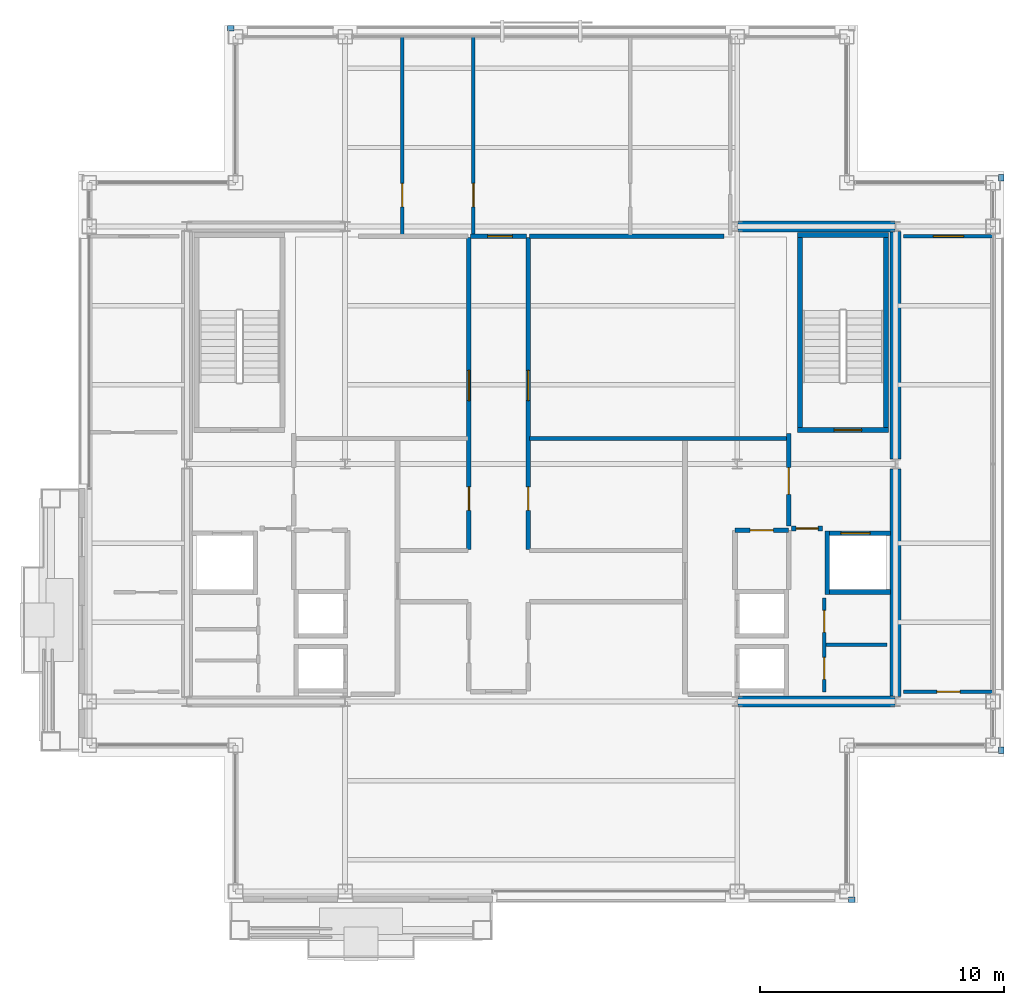
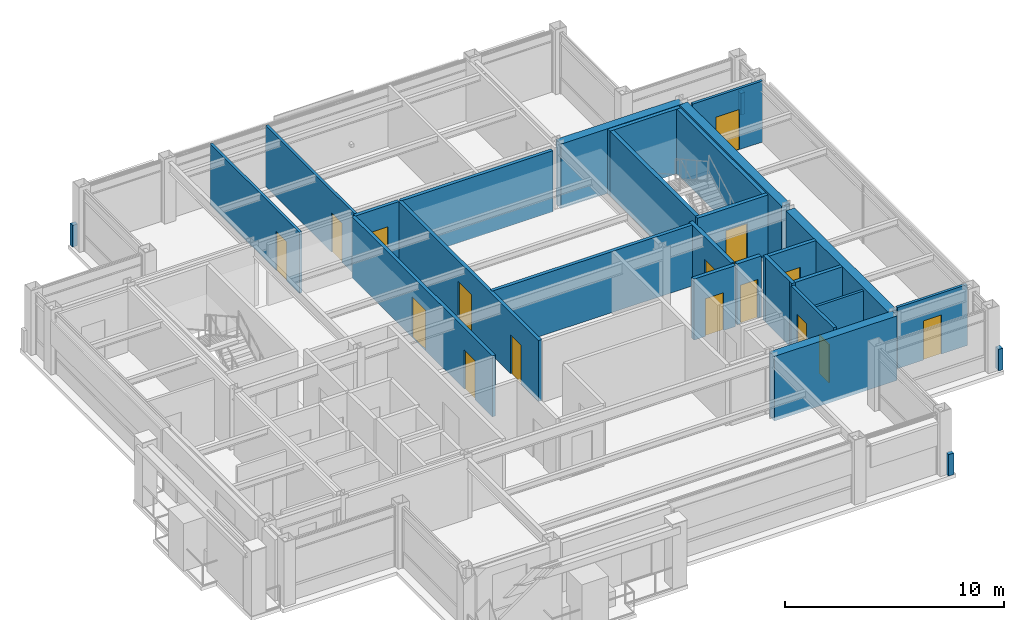
# One storey, part 25 of 28: 29 walls, 16 doors, 16 openings.
"""IFC4 building model written with IfcOpenShell, lengths in metres."""

from ifc_helpers import new_model, si_unit, direction, frame, frame_2d, origin, place, context, subcontext, project, spatial, rectangle, extrude, material, layer, layer_set, type_object, element, fill, save


model = new_model("IFC4")

# Units and contexts
model_context = context("Model", 3, precision=1e-05, world=origin(), true_north=direction((0.0, 1.0)))
body_context = subcontext(model_context, "Body", "Model", "MODEL_VIEW")
ifc_project = project(units=[si_unit("LENGTHUNIT", "METRE"), si_unit("AREAUNIT", "SQUARE_METRE"), si_unit("VOLUMEUNIT", "CUBIC_METRE"), si_unit("PLANEANGLEUNIT", "RADIAN"), si_unit("MASSUNIT", "GRAM", prefix="KILO")], contexts=[model_context])

# Site, building, storey
site_placement = place(None, origin())
site = spatial("IfcSite", under=ifc_project, at=site_placement, CompositionType="ELEMENT")
building_placement = place(site_placement, origin())
building = spatial("IfcBuilding", under=site, at=building_placement, Name="Brelmoor Portico Tower", CompositionType="ELEMENT")
storey_placement = place(building_placement, frame((0.0, 0.0, 265.199951171875)))
storey = spatial("IfcBuildingStorey", under=building, at=storey_placement, Name="L70", CompositionType="ELEMENT", Elevation=265.199951171875)

# Walls
ifc_material_1 = material(Name="Concrete C50", Category="concrete")
ifc_layer_1 = layer(ifc_material_1, 0.449951171875)
ifc_layer_set_1 = layer_set([ifc_layer_1], Name="Concrete C50")
wall_type_1 = type_object("IfcWallType", Name="WL-CORE-450", PredefinedType="SHEAR", material=ifc_layer_set_1)
for number, where, z_axis, x_axis, name in (
    (1, (8.070068359375, -9.75, -0.199951171875), (0.0, 0.0, 1.0), (1.0, 0.0, 0.0), "L70 EC South Shear Wall"),
    (2, (8.070068359375, 9.75, -0.199951171875), (0.0, 0.0, 1.0), (1.0, 0.0, 0.0), "L70 EC North Shear Wall"),
):
    element("IfcWall", number, at=place(storey_placement, frame(where, z_axis=z_axis, x_axis=x_axis)), inside=storey, type_object=wall_type_1, Name=name, PredefinedType="SHEAR", context=body_context, shape_type="SweptSolid", body=[
        extrude(rectangle(XDim=6.4599609375, YDim=0.449951171875, at=frame_2d((3.22998046875, 0.0))), origin(), (0.0, 0.0, 1.0), 3.60009765625),
    ])
for number, where, z_axis, x_axis, name in (
    (3, (14.550048828125, -9.550048828125, -0.199951171875), (0.0, 0.0, 1.0), (0.0, 1.0, 0.0), "L70 EC Outer South Shear Wall"),
    (4, (14.550048828125, 0.199951171875, -0.199951171875), (0.0, 0.0, 1.0), (0.0, 1.0, 0.0), "L70 EC Outer North Shear Wall"),
):
    element("IfcWall", number, at=place(storey_placement, frame(where, z_axis=z_axis, x_axis=x_axis)), inside=storey, type_object=wall_type_1, Name=name, PredefinedType="SHEAR", context=body_context, shape_type="SweptSolid", body=[
        extrude(rectangle(XDim=9.35009765625, YDim=0.449951171875, at=frame_2d((4.675048828125, 0.0))), origin(), (0.0, 0.0, 1.0), 3.60009765625),
    ])
ifc_material_2 = material(Name="Concrete C40 Parapet Upstand", Category="concrete")
ifc_layer_2 = layer(ifc_material_2, 0.219970703125)
ifc_layer_set_2 = layer_set([ifc_layer_2], Name="Concrete C40 Parapet Upstand")
wall_type_2 = type_object("IfcWallType", Name="WL-PARAPET-220", PredefinedType="PARAPET", material=ifc_layer_set_2)
for number, where, z_axis, x_axis, name in (
    (5, (12.6201171875, -17.889892578125, 0.0), (0.0, 0.0, 1.0), (1.0, 0.0, 0.0), "L70 Chamfer Vertex Parapet Pier SE1"),
    (6, (18.889892578125, -11.889892578125, 0.0), (0.0, 0.0, 1.0), (0.0, 1.0, 0.0), "L70 Chamfer Vertex Parapet Pier SE2"),
    (7, (-12.889892578125, 17.889892578125, 0.0), (0.0, 0.0, 1.0), (1.0, 0.0, 0.0), "L70 Chamfer Vertex Parapet Pier NW1"),
    (8, (18.889892578125, 11.6201171875, 0.0), (0.0, 0.0, 1.0), (0.0, 1.0, 0.0), "L70 Chamfer Vertex Parapet Pier NE2"),
):
    element("IfcWall", number, at=place(storey_placement, frame(where, z_axis=z_axis, x_axis=x_axis)), inside=storey, type_object=wall_type_2, Name=name, PredefinedType="PARAPET", context=body_context, shape_type="SweptSolid", body=[
        extrude(rectangle(XDim=0.269775390625, YDim=0.219970703125, at=frame_2d((0.134765625, 0.0))), origin(), (0.0, 0.0, 1.0), 1.199951171875),
    ])
ifc_material_3 = material(Name="Insulated Stud Suite Partition", Category="gypsum")
ifc_layer_3 = layer(ifc_material_3, 0.139892578125)
ifc_layer_set_3 = layer_set([ifc_layer_3], Name="Insulated Stud Suite Partition")
wall_type_3 = type_object("IfcWallType", Name="WL-PART-140", PredefinedType="PARTITIONING", material=ifc_layer_set_3)
wall_1_placement = place(storey_placement, frame((11.699951171875, -7.425048828125, 0.0), z_axis=(0.0, 0.0, 1.0), x_axis=(1.0, 0.0, 0.0)))
element("IfcWall", 9, at=wall_1_placement, inside=storey, type_object=wall_type_3, Name="L70 E Core WC Divider 1", PredefinedType="PARTITIONING", context=body_context, shape_type="SweptSolid", body=[
    extrude(rectangle(XDim=2.5, YDim=0.139892578125, at=frame_2d((1.25, 0.0))), origin(), (0.0, 0.0, 1.0), 3.400146484375),
])

# Wall, opening, door
wall_2_placement = place(storey_placement, frame((-5.705078125, 9.409912109375, 0.0), z_axis=(0.0, 0.0, 1.0), x_axis=(0.0, 1.0, 0.0)))
wall_2 = element("IfcWall", 10, at=wall_2_placement, inside=storey, type_object=wall_type_3, Name="L70 North Suite Partition 1", PredefinedType="PARTITIONING", context=body_context, shape_type="SweptSolid", body=[
    extrude(rectangle(XDim=8.150146484375, YDim=0.139892578125, at=frame_2d((4.0751953125, 0.0))), origin(), (0.0, 0.0, 1.0), 3.400146484375),
])
opening_1_placement = place(wall_2_placement, frame((1.14990234375, 0.0, 0.0)))
opening_1 = element("IfcOpeningElement", 11, at=opening_1_placement, cuts=wall_2, Name="Opening D-IN2", PredefinedType="OPENING", context=body_context, shape_type="SweptSolid", body=[
    extrude(rectangle(XDim=0.9599609375, YDim=2.179931640625, at=frame_2d((0.47998046875, 1.08984375))), frame((0.0, 0.079833984375, 0.0), z_axis=(0.0, -1.0, 0.0), x_axis=(1.0, 0.0, 0.0)), (0.0, 0.0, 1.0), 0.159912109375),
])
ifc_material_4 = material(Name="Lacquered Timber Suite Door", Category="wood")
door_type_1 = type_object("IfcDoorType", Name="DR-INT-950", OperationType="NOTDEFINED", PredefinedType="DOOR", material=ifc_material_4)
door_1_placement = place(opening_1_placement, origin())
door_1 = element("IfcDoor", 12, at=door_1_placement, inside=storey, type_object=door_type_1, Name="D-2881 L70 North Suite Connecting Door 1", OperationType="SINGLE_SWING_LEFT", OverallHeight=2.179931640625, OverallWidth=0.9599609375, PredefinedType="DOOR", context=body_context, shape_type="SweptSolid", body=[
    extrude(rectangle(XDim=0.9599609375, YDim=2.179931640625, at=frame_2d((0.47998046875, 1.08984375))), frame((0.0, 0.02490234375, 0.0), z_axis=(0.0, -1.0, 0.0), x_axis=(1.0, 0.0, 0.0)), (0.0, 0.0, 1.0), 0.050048828125),
])
fill(opening_1, door_1)

wall_3_placement = place(storey_placement, frame((-2.78466796875, 9.409912109375, 0.0), z_axis=(0.0, 0.0, 1.0), x_axis=(0.0, 1.0, 0.0)))
wall_3 = element("IfcWall", 13, at=wall_3_placement, inside=storey, type_object=wall_type_3, Name="L70 North Suite Partition 2", PredefinedType="PARTITIONING", context=body_context, shape_type="SweptSolid", body=[
    extrude(rectangle(XDim=8.150146484375, YDim=0.139892578125, at=frame_2d((4.0751953125, 0.0))), origin(), (0.0, 0.0, 1.0), 3.400146484375),
])
opening_2_placement = place(wall_3_placement, frame((1.14990234375, 0.0, 0.0)))
opening_2 = element("IfcOpeningElement", 14, at=opening_2_placement, cuts=wall_3, Name="Opening D-IN2", PredefinedType="OPENING", context=body_context, shape_type="SweptSolid", body=[
    extrude(rectangle(XDim=0.9599609375, YDim=2.179931640625, at=frame_2d((0.47998046875, 1.08984375))), frame((0.0, 0.079833984375, 0.0), z_axis=(0.0, -1.0, 0.0), x_axis=(1.0, 0.0, 0.0)), (0.0, 0.0, 1.0), 0.159912109375),
])
door_2_placement = place(opening_2_placement, origin())
door_2 = element("IfcDoor", 15, at=door_2_placement, inside=storey, type_object=door_type_1, Name="D-2882 L70 North Suite Connecting Door 2", OperationType="SINGLE_SWING_RIGHT", OverallHeight=2.179931640625, OverallWidth=0.9599609375, PredefinedType="DOOR", context=body_context, shape_type="SweptSolid", body=[
    extrude(rectangle(XDim=0.9599609375, YDim=2.179931640625, at=frame_2d((0.47998046875, 1.08984375))), frame((0.0, 0.02490234375, 0.0), z_axis=(0.0, -1.0, 0.0), x_axis=(1.0, 0.0, 0.0)), (0.0, 0.0, 1.0), 0.050048828125),
])
fill(opening_2, door_2)

wall_4_placement = place(storey_placement, frame((14.8798828125, 9.35009765625, 0.0), z_axis=(0.0, 0.0, 1.0), x_axis=(1.0, 0.0, 0.0)))
wall_4 = element("IfcWall", 16, at=wall_4_placement, inside=storey, type_object=wall_type_3, Name="L70 North Wing Suite Wall ER", PredefinedType="PARTITIONING", context=body_context, shape_type="SweptSolid", body=[
    extrude(rectangle(XDim=3.68017578125, YDim=0.139892578125, at=frame_2d((1.840087890625, 0.0))), origin(), (0.0, 0.0, 1.0), 3.400146484375),
])
opening_3_placement = place(wall_4_placement, frame((1.219970703125, 0.0, 0.0)))
opening_3 = element("IfcOpeningElement", 17, at=opening_3_placement, cuts=wall_4, Name="Opening D-SU1", PredefinedType="OPENING", context=body_context, shape_type="SweptSolid", body=[
    extrude(rectangle(XDim=1.239990234375, YDim=2.239990234375, at=frame_2d((0.6201171875, 1.1201171875))), frame((0.0, 0.079833984375, 0.0), z_axis=(0.0, -1.0, 0.0), x_axis=(1.0, 0.0, 0.0)), (0.0, 0.0, 1.0), 0.159912109375),
])
ifc_material_5 = material(Name="Glazed Timber Executive Suite Door", Category="wood")
door_type_2 = type_object("IfcDoorType", Name="DR-SUITE-1200", OperationType="NOTDEFINED", PredefinedType="DOOR", material=ifc_material_5)
door_3_placement = place(opening_3_placement, origin())
door_3 = element("IfcDoor", 18, at=door_3_placement, inside=storey, type_object=door_type_2, Name="D-2885 L70 ER Wing Suite Connecting Door", OperationType="SINGLE_SWING_LEFT", OverallHeight=2.239990234375, OverallWidth=1.239990234375, PredefinedType="DOOR", context=body_context, shape_type="SweptSolid", body=[
    extrude(rectangle(XDim=1.239990234375, YDim=2.239990234375, at=frame_2d((0.6201171875, 1.1201171875))), frame((0.0, 0.02490234375, 0.0), z_axis=(0.0, -1.0, 0.0), x_axis=(1.0, 0.0, 0.0)), (0.0, 0.0, 1.0), 0.050048828125),
])
fill(opening_3, door_3)

wall_5_placement = place(storey_placement, frame((14.8798828125, -9.35009765625, 0.0), z_axis=(0.0, 0.0, 1.0), x_axis=(1.0, 0.0, 0.0)))
wall_5 = element("IfcWall", 19, at=wall_5_placement, inside=storey, type_object=wall_type_3, Name="L70 South Wing Closure ER", PredefinedType="PARTITIONING", context=body_context, shape_type="SweptSolid", body=[
    extrude(rectangle(XDim=3.68017578125, YDim=0.139892578125, at=frame_2d((1.840087890625, 0.0))), origin(), (0.0, 0.0, 1.0), 3.400146484375),
])
opening_4_placement = place(wall_5_placement, frame((1.360107421875, 0.0, 0.0)))
opening_4 = element("IfcOpeningElement", 20, at=opening_4_placement, cuts=wall_5, Name="Opening D-IN2", PredefinedType="OPENING", context=body_context, shape_type="SweptSolid", body=[
    extrude(rectangle(XDim=0.9599609375, YDim=2.179931640625, at=frame_2d((0.47998046875, 1.08984375))), frame((0.0, 0.079833984375, 0.0), z_axis=(0.0, -1.0, 0.0), x_axis=(1.0, 0.0, 0.0)), (0.0, 0.0, 1.0), 0.159912109375),
])
door_4_placement = place(opening_4_placement, origin())
door_4 = element("IfcDoor", 21, at=door_4_placement, inside=storey, type_object=door_type_1, Name="D-2890 L70 ER Wing South Suite Door", OperationType="SINGLE_SWING_RIGHT", OverallHeight=2.179931640625, OverallWidth=0.9599609375, PredefinedType="DOOR", context=body_context, shape_type="SweptSolid", body=[
    extrude(rectangle(XDim=0.9599609375, YDim=2.179931640625, at=frame_2d((0.47998046875, 1.08984375))), frame((0.0, 0.02490234375, 0.0), z_axis=(0.0, -1.0, 0.0), x_axis=(1.0, 0.0, 0.0)), (0.0, 0.0, 1.0), 0.050048828125),
])
fill(opening_4, door_4)

# Wall, openings, doors
ifc_material_6 = material(Name="Twin-Frame Acoustic Partition", Category="gypsum")
ifc_layer_4 = layer(ifc_material_6, 0.159912109375)
ifc_layer_set_4 = layer_set([ifc_layer_4], Name="Twin-Frame Acoustic Partition")
wall_type_4 = type_object("IfcWallType", Name="WL-PART-160", PredefinedType="PARTITIONING", material=ifc_layer_set_4)
wall_6_placement = place(storey_placement, frame((11.6201171875, -9.35009765625, 0.0), z_axis=(0.0, 0.0, 1.0), x_axis=(0.0, 1.0, 0.0)))
wall_6 = element("IfcWall", 22, at=wall_6_placement, inside=storey, type_object=wall_type_4, Name="L70 E Core Service Front Wall", PredefinedType="PARTITIONING", context=body_context, shape_type="SweptSolid", body=[
    extrude(rectangle(XDim=3.85009765625, YDim=0.159912109375, at=frame_2d((1.925048828125, 0.0))), origin(), (0.0, 0.0, 1.0), 3.400146484375),
])
opening_5_placement = place(wall_6_placement, frame((0.512451171875, 0.0, 0.0)))
opening_5 = element("IfcOpeningElement", 23, at=opening_5_placement, cuts=wall_6, Name="Opening D-IN1", PredefinedType="OPENING", context=body_context, shape_type="SweptSolid", body=[
    extrude(rectangle(XDim=0.89990234375, YDim=2.14990234375, at=frame_2d((0.449951171875, 1.074951171875))), frame((0.0, 0.08984375, 0.0), z_axis=(0.0, -1.0, 0.0), x_axis=(1.0, 0.0, 0.0)), (0.0, 0.0, 1.0), 0.179931640625),
])
opening_6_placement = place(wall_6_placement, frame((2.4375, 0.0, 0.0)))
opening_6 = element("IfcOpeningElement", 24, at=opening_6_placement, cuts=wall_6, Name="Opening D-IN1", PredefinedType="OPENING", context=body_context, shape_type="SweptSolid", body=[
    extrude(rectangle(XDim=0.89990234375, YDim=2.14990234375, at=frame_2d((0.449951171875, 1.074951171875))), frame((0.0, 0.08984375, 0.0), z_axis=(0.0, -1.0, 0.0), x_axis=(1.0, 0.0, 0.0)), (0.0, 0.0, 1.0), 0.179931640625),
])
door_type_3 = type_object("IfcDoorType", Name="DR-INT-900", OperationType="NOTDEFINED", PredefinedType="DOOR", material=ifc_material_4)
door_5_placement = place(opening_5_placement, origin())
door_5 = element("IfcDoor", 25, at=door_5_placement, inside=storey, type_object=door_type_3, Name="D-2867 L70 E Male WC Door", OperationType="SINGLE_SWING_LEFT", OverallHeight=2.14990234375, OverallWidth=0.89990234375, PredefinedType="DOOR", context=body_context, shape_type="SweptSolid", body=[
    extrude(rectangle(XDim=0.89990234375, YDim=2.14990234375, at=frame_2d((0.449951171875, 1.074951171875))), frame((0.0, 0.02490234375, 0.0), z_axis=(0.0, -1.0, 0.0), x_axis=(1.0, 0.0, 0.0)), (0.0, 0.0, 1.0), 0.050048828125),
])
fill(opening_5, door_5)
door_6_placement = place(opening_6_placement, origin())
door_6 = element("IfcDoor", 26, at=door_6_placement, inside=storey, type_object=door_type_3, Name="D-2868 L70 E Female WC Door", OperationType="SINGLE_SWING_RIGHT", OverallHeight=2.14990234375, OverallWidth=0.89990234375, PredefinedType="DOOR", context=body_context, shape_type="SweptSolid", body=[
    extrude(rectangle(XDim=0.89990234375, YDim=2.14990234375, at=frame_2d((0.449951171875, 1.074951171875))), frame((0.0, 0.02490234375, 0.0), z_axis=(0.0, -1.0, 0.0), x_axis=(1.0, 0.0, 0.0)), (0.0, 0.0, 1.0), 0.050048828125),
])
fill(opening_6, door_6)

ifc_material_7 = material(Name="Acoustic Corridor Fire Partition", Category="gypsum")
ifc_layer_5 = layer(ifc_material_7, 0.179931640625)
ifc_layer_set_5 = layer_set([ifc_layer_5], Name="Acoustic Corridor Fire Partition")
wall_type_5 = type_object("IfcWallType", Name="WL-PART-180", PredefinedType="PARTITIONING", material=ifc_layer_set_5)
wall_7_placement = place(storey_placement, frame((-2.969970703125, -3.5, 0.0), z_axis=(0.0, 0.0, 1.0), x_axis=(0.0, 1.0, 0.0)))
wall_7 = element("IfcWall", 27, at=wall_7_placement, inside=storey, type_object=wall_type_5, Name="L70 Central Cross West Wall", PredefinedType="PARTITIONING", context=body_context, shape_type="SweptSolid", body=[
    extrude(rectangle(XDim=12.81005859375, YDim=0.179931640625, at=frame_2d((6.405029296875, 0.0))), origin(), (0.0, 0.0, 1.0), 3.400146484375),
])
opening_7_placement = place(wall_7_placement, frame((6.10009765625, 0.0, 0.0)))
opening_7 = element("IfcOpeningElement", 28, at=opening_7_placement, cuts=wall_7, Name="Opening D-SU1", PredefinedType="OPENING", context=body_context, shape_type="SweptSolid", body=[
    extrude(rectangle(XDim=1.239990234375, YDim=2.239990234375, at=frame_2d((0.6201171875, 1.1201171875))), frame((0.0, 0.099853515625, 0.0), z_axis=(0.0, -1.0, 0.0), x_axis=(1.0, 0.0, 0.0)), (0.0, 0.0, 1.0), 0.199951171875),
])
opening_8_placement = place(wall_7_placement, frame((1.60009765625, 0.0, 0.0)))
opening_8 = element("IfcOpeningElement", 29, at=opening_8_placement, cuts=wall_7, Name="Opening D-IN2", PredefinedType="OPENING", context=body_context, shape_type="SweptSolid", body=[
    extrude(rectangle(XDim=0.9599609375, YDim=2.179931640625, at=frame_2d((0.47998046875, 1.08984375))), frame((0.0, 0.099853515625, 0.0), z_axis=(0.0, -1.0, 0.0), x_axis=(1.0, 0.0, 0.0)), (0.0, 0.0, 1.0), 0.199951171875),
])
door_7_placement = place(opening_8_placement, origin())
door_7 = element("IfcDoor", 30, at=door_7_placement, inside=storey, type_object=door_type_1, Name="D-2865 L70 Staff Pantry Door", OperationType="SINGLE_SWING_RIGHT", OverallHeight=2.179931640625, OverallWidth=0.9599609375, PredefinedType="DOOR", context=body_context, shape_type="SweptSolid", body=[
    extrude(rectangle(XDim=0.9599609375, YDim=2.179931640625, at=frame_2d((0.47998046875, 1.08984375))), frame((0.0, 0.02490234375, 0.0), z_axis=(0.0, -1.0, 0.0), x_axis=(1.0, 0.0, 0.0)), (0.0, 0.0, 1.0), 0.050048828125),
])
fill(opening_8, door_7)
door_8_placement = place(opening_7_placement, origin())
door_8 = element("IfcDoor", 31, at=door_8_placement, inside=storey, type_object=door_type_2, Name="D-2866 L70 West Reclaimed Studio Door", OperationType="SINGLE_SWING_LEFT", OverallHeight=2.239990234375, OverallWidth=1.239990234375, PredefinedType="DOOR", context=body_context, shape_type="SweptSolid", body=[
    extrude(rectangle(XDim=1.239990234375, YDim=2.239990234375, at=frame_2d((0.6201171875, 1.1201171875))), frame((0.0, 0.02490234375, 0.0), z_axis=(0.0, -1.0, 0.0), x_axis=(1.0, 0.0, 0.0)), (0.0, 0.0, 1.0), 0.050048828125),
])
fill(opening_7, door_8)

# Wall
wall_8_placement = place(storey_placement, frame((-0.489990234375, 1.050048828125, 0.0), z_axis=(0.0, 0.0, 1.0), x_axis=(1.0, 0.0, 0.0)))
element("IfcWall", 32, at=wall_8_placement, inside=storey, type_object=wall_type_5, Name="L70 East Suite South Wall", PredefinedType="PARTITIONING", context=body_context, shape_type="SweptSolid", body=[
    extrude(rectangle(XDim=10.550048828125, YDim=0.179931640625, at=frame_2d((5.27490234375, 0.0))), origin(), (0.0, 0.0, 1.0), 3.400146484375),
])

# Wall, openings, doors
wall_9_placement = place(storey_placement, frame((-0.530029296875, -3.5, 0.0), z_axis=(0.0, 0.0, 1.0), x_axis=(0.0, 1.0, 0.0)))
wall_9 = element("IfcWall", 33, at=wall_9_placement, inside=storey, type_object=wall_type_5, Name="L70 Central Cross East Wall", PredefinedType="PARTITIONING", context=body_context, shape_type="SweptSolid", body=[
    extrude(rectangle(XDim=12.81005859375, YDim=0.179931640625, at=frame_2d((6.405029296875, 0.0))), origin(), (0.0, 0.0, 1.0), 3.400146484375),
])
opening_9_placement = place(wall_9_placement, frame((6.10009765625, 0.0, 0.0)))
opening_9 = element("IfcOpeningElement", 34, at=opening_9_placement, cuts=wall_9, Name="Opening D-SU1", PredefinedType="OPENING", context=body_context, shape_type="SweptSolid", body=[
    extrude(rectangle(XDim=1.239990234375, YDim=2.239990234375, at=frame_2d((0.6201171875, 1.1201171875))), frame((0.0, 0.099853515625, 0.0), z_axis=(0.0, -1.0, 0.0), x_axis=(1.0, 0.0, 0.0)), (0.0, 0.0, 1.0), 0.199951171875),
])
opening_10_placement = place(wall_9_placement, frame((1.60009765625, 0.0, 0.0)))
opening_10 = element("IfcOpeningElement", 35, at=opening_10_placement, cuts=wall_9, Name="Opening D-IN2", PredefinedType="OPENING", context=body_context, shape_type="SweptSolid", body=[
    extrude(rectangle(XDim=0.9599609375, YDim=2.179931640625, at=frame_2d((0.47998046875, 1.08984375))), frame((0.0, 0.099853515625, 0.0), z_axis=(0.0, -1.0, 0.0), x_axis=(1.0, 0.0, 0.0)), (0.0, 0.0, 1.0), 0.199951171875),
])
door_9_placement = place(opening_10_placement, origin())
door_9 = element("IfcDoor", 36, at=door_9_placement, inside=storey, type_object=door_type_1, Name="D-2861 L70 Client Project Office Door", OperationType="SINGLE_SWING_RIGHT", OverallHeight=2.179931640625, OverallWidth=0.9599609375, PredefinedType="DOOR", context=body_context, shape_type="SweptSolid", body=[
    extrude(rectangle(XDim=0.9599609375, YDim=2.179931640625, at=frame_2d((0.47998046875, 1.08984375))), frame((0.0, 0.02490234375, 0.0), z_axis=(0.0, -1.0, 0.0), x_axis=(1.0, 0.0, 0.0)), (0.0, 0.0, 1.0), 0.050048828125),
])
fill(opening_10, door_9)
door_10_placement = place(opening_9_placement, origin())
door_10 = element("IfcDoor", 37, at=door_10_placement, inside=storey, type_object=door_type_2, Name="D-2862 L70 East Reclaimed Studio Door", OperationType="SINGLE_SWING_LEFT", OverallHeight=2.239990234375, OverallWidth=1.239990234375, PredefinedType="DOOR", context=body_context, shape_type="SweptSolid", body=[
    extrude(rectangle(XDim=1.239990234375, YDim=2.239990234375, at=frame_2d((0.6201171875, 1.1201171875))), frame((0.0, 0.02490234375, 0.0), z_axis=(0.0, -1.0, 0.0), x_axis=(1.0, 0.0, 0.0)), (0.0, 0.0, 1.0), 0.050048828125),
])
fill(opening_9, door_10)

# Wall
wall_10_placement = place(storey_placement, frame((-0.489990234375, 9.35009765625, 0.0), z_axis=(0.0, 0.0, 1.0), x_axis=(1.0, 0.0, 0.0)))
element("IfcWall", 38, at=wall_10_placement, inside=storey, type_object=wall_type_5, Name="L70 East Suite North Wall", PredefinedType="PARTITIONING", context=body_context, shape_type="SweptSolid", body=[
    extrude(rectangle(XDim=7.989990234375, YDim=0.179931640625, at=frame_2d((3.9951171875, 0.0))), origin(), (0.0, 0.0, 1.0), 3.400146484375),
])

# Wall, opening, door
wall_11_placement = place(storey_placement, frame((-2.89990234375, 9.35009765625, 0.0), z_axis=(0.0, 0.0, 1.0), x_axis=(1.0, 0.0, 0.0)))
wall_11 = element("IfcWall", 39, at=wall_11_placement, inside=storey, type_object=wall_type_5, Name="L70 North Corridor Partition", PredefinedType="PARTITIONING", context=body_context, shape_type="SweptSolid", body=[
    extrude(rectangle(XDim=2.2998046875, YDim=0.179931640625, at=frame_2d((1.14990234375, 0.0))), origin(), (0.0, 0.0, 1.0), 3.400146484375),
])
opening_11_placement = place(wall_11_placement, frame((0.69775390625, 0.0, 0.0)))
opening_11 = element("IfcOpeningElement", 40, at=opening_11_placement, cuts=wall_11, Name="Opening D-OF1", PredefinedType="OPENING", context=body_context, shape_type="SweptSolid", body=[
    extrude(rectangle(XDim=1.02001953125, YDim=2.199951171875, at=frame_2d((0.510009765625, 1.10009765625))), frame((0.0, 0.099853515625, 0.0), z_axis=(0.0, -1.0, 0.0), x_axis=(1.0, 0.0, 0.0)), (0.0, 0.0, 1.0), 0.199951171875),
])
ifc_material_8 = material(Name="Hardwood Acoustic Veneer Door", Category="wood")
door_type_4 = type_object("IfcDoorType", Name="DR-OFFICE-1000", OperationType="NOTDEFINED", PredefinedType="DOOR", material=ifc_material_8)
door_11_placement = place(opening_11_placement, origin())
door_11 = element("IfcDoor", 41, at=door_11_placement, inside=storey, type_object=door_type_4, Name="D-2880 L70 North Open-Plan Office 3 Door", OperationType="SINGLE_SWING_LEFT", OverallHeight=2.199951171875, OverallWidth=1.02001953125, PredefinedType="DOOR", context=body_context, shape_type="SweptSolid", body=[
    extrude(rectangle(XDim=1.02001953125, YDim=2.199951171875, at=frame_2d((0.510009765625, 1.10009765625))), frame((0.0, 0.02490234375, 0.0), z_axis=(0.0, -1.0, 0.0), x_axis=(1.0, 0.0, 0.0)), (0.0, 0.0, 1.0), 0.050048828125),
])
fill(opening_11, door_11)

ifc_material_9 = material(Name="Double-Stud Gypsum Fire Partition", Category="gypsum")
ifc_layer_6 = layer(ifc_material_9, 0.199951171875)
ifc_layer_set_6 = layer_set([ifc_layer_6], Name="Double-Stud Gypsum Fire Partition")
wall_type_6 = type_object("IfcWallType", Name="WL-PART-200", PredefinedType="PARTITIONING", material=ifc_layer_set_6)
wall_12_placement = place(storey_placement, frame((10.159912109375, -2.550048828125, 0.0), z_axis=(0.0, 0.0, 1.0), x_axis=(0.0, 1.0, 0.0)))
wall_12 = element("IfcWall", 42, at=wall_12_placement, inside=storey, type_object=wall_type_6, Name="L70 E Firefighting Lobby Wall", PredefinedType="PARTITIONING", context=body_context, shape_type="SweptSolid", body=[
    extrude(rectangle(XDim=3.800048828125, YDim=0.199951171875, at=frame_2d((1.89990234375, 0.0))), origin(), (0.0, 0.0, 1.0), 3.400146484375),
])
opening_12_placement = place(wall_12_placement, frame((1.300048828125, 0.0, 0.0)))
opening_12 = element("IfcOpeningElement", 43, at=opening_12_placement, cuts=wall_12, Name="Opening D-FR1", PredefinedType="OPENING", context=body_context, shape_type="SweptSolid", body=[
    extrude(rectangle(XDim=1.10009765625, YDim=2.14990234375, at=frame_2d((0.550048828125, 1.074951171875))), frame((0.0, 0.10986328125, 0.0), z_axis=(0.0, -1.0, 0.0), x_axis=(1.0, 0.0, 0.0)), (0.0, 0.0, 1.0), 0.219970703125),
])
ifc_material_10 = material(Name="Painted Galvanised Steel Fire Door", Category="steel")
door_type_5 = type_object("IfcDoorType", Name="DR-FIRE-1100", OperationType="NOTDEFINED", PredefinedType="DOOR", material=ifc_material_10)
door_12_placement = place(opening_12_placement, origin())
door_12 = element("IfcDoor", 44, at=door_12_placement, inside=storey, type_object=door_type_5, Name="D-2876 L70 E Firefighting Lobby Door", OperationType="SINGLE_SWING_RIGHT", OverallHeight=2.14990234375, OverallWidth=1.10009765625, PredefinedType="DOOR", context=body_context, shape_type="SweptSolid", body=[
    extrude(rectangle(XDim=1.10009765625, YDim=2.14990234375, at=frame_2d((0.550048828125, 1.074951171875))), frame((0.0, 0.02490234375, 0.0), z_axis=(0.0, -1.0, 0.0), x_axis=(1.0, 0.0, 0.0)), (0.0, 0.0, 1.0), 0.050048828125),
])
fill(opening_12, door_12)

wall_13_placement = place(storey_placement, frame((10.280029296875, -2.64990234375, 0.0), z_axis=(0.0, 0.0, 1.0), x_axis=(1.0, 0.0, 0.0)))
wall_13 = element("IfcWall", 45, at=wall_13_placement, inside=storey, type_object=wall_type_6, Name="L70 E Firefighting Lobby South Wall", PredefinedType="PARTITIONING", context=body_context, shape_type="SweptSolid", body=[
    extrude(rectangle(XDim=1.27001953125, YDim=0.199951171875, at=frame_2d((0.635009765625, 0.0))), origin(), (0.0, 0.0, 1.0), 3.400146484375),
])
opening_13_placement = place(wall_13_placement, frame((0.18505859375, 0.0, 0.0)))
opening_13 = element("IfcOpeningElement", 46, at=opening_13_placement, cuts=wall_13, Name="Opening D-IN1", PredefinedType="OPENING", context=body_context, shape_type="SweptSolid", body=[
    extrude(rectangle(XDim=0.89990234375, YDim=2.14990234375, at=frame_2d((0.449951171875, 1.074951171875))), frame((0.0, 0.10986328125, 0.0), z_axis=(0.0, -1.0, 0.0), x_axis=(1.0, 0.0, 0.0)), (0.0, 0.0, 1.0), 0.219970703125),
])
door_13_placement = place(opening_13_placement, origin())
door_13 = element("IfcDoor", 47, at=door_13_placement, inside=storey, type_object=door_type_3, Name="D-2869 L70 E Core Service Vestibule Door", OperationType="SINGLE_SWING_LEFT", OverallHeight=2.14990234375, OverallWidth=0.89990234375, PredefinedType="DOOR", context=body_context, shape_type="SweptSolid", body=[
    extrude(rectangle(XDim=0.89990234375, YDim=2.14990234375, at=frame_2d((0.449951171875, 1.074951171875))), frame((0.0, 0.02490234375, 0.0), z_axis=(0.0, -1.0, 0.0), x_axis=(1.0, 0.0, 0.0)), (0.0, 0.0, 1.0), 0.050048828125),
])
fill(opening_13, door_13)

wall_14_placement = place(storey_placement, frame((7.9599609375, -2.719970703125, 0.0), z_axis=(0.0, 0.0, 1.0), x_axis=(1.0, 0.0, 0.0)))
wall_14 = element("IfcWall", 48, at=wall_14_placement, inside=storey, type_object=wall_type_6, Name="L70 E Electrical Switchgear Closet Wall", PredefinedType="PARTITIONING", context=body_context, shape_type="SweptSolid", body=[
    extrude(rectangle(XDim=2.199951171875, YDim=0.199951171875, at=frame_2d((1.10009765625, 0.0))), origin(), (0.0, 0.0, 1.0), 3.400146484375),
])
opening_14_placement = place(wall_14_placement, frame((0.6201171875, 0.0, 0.0)))
opening_14 = element("IfcOpeningElement", 49, at=opening_14_placement, cuts=wall_14, Name="Opening D-FR4", PredefinedType="OPENING", context=body_context, shape_type="SweptSolid", body=[
    extrude(rectangle(XDim=0.949951171875, YDim=2.10009765625, at=frame_2d((0.47509765625, 1.050048828125))), frame((0.0, 0.10986328125, 0.0), z_axis=(0.0, -1.0, 0.0), x_axis=(1.0, 0.0, 0.0)), (0.0, 0.0, 1.0), 0.219970703125),
])
ifc_material_11 = material(Name="Painted Galvanised Steel Riser Door", Category="steel")
door_type_6 = type_object("IfcDoorType", Name="DR-FIRE-950", OperationType="NOTDEFINED", PredefinedType="DOOR", material=ifc_material_11)
door_14_placement = place(opening_14_placement, origin())
door_14 = element("IfcDoor", 50, at=door_14_placement, inside=storey, type_object=door_type_6, Name="D-2874 L70 E Electrical Switchgear Closet Door", OperationType="SINGLE_SWING_RIGHT", OverallHeight=2.10009765625, OverallWidth=0.949951171875, PredefinedType="DOOR", context=body_context, shape_type="SweptSolid", body=[
    extrude(rectangle(XDim=0.949951171875, YDim=2.10009765625, at=frame_2d((0.47509765625, 1.050048828125))), frame((0.0, 0.02490234375, 0.0), z_axis=(0.0, -1.0, 0.0), x_axis=(1.0, 0.0, 0.0)), (0.0, 0.0, 1.0), 0.050048828125),
])
fill(opening_14, door_14)

ifc_material_12 = material(Name="Precast Concrete C40", Category="concrete")
ifc_layer_7 = layer(ifc_material_12, 0.18994140625)
ifc_layer_set_7 = layer_set([ifc_layer_7], Name="Precast Concrete C40")
wall_type_7 = type_object("IfcWallType", Name="WL-SHAFT-180", PredefinedType="SOLIDWALL", material=ifc_layer_set_7)
wall_15_placement = place(storey_placement, frame((11.64990234375, -2.844970703125, -0.199951171875), z_axis=(0.0, 0.0, 1.0), x_axis=(1.0, 0.0, 0.0)))
wall_15 = element("IfcWall", 51, at=wall_15_placement, inside=storey, type_object=wall_type_7, Name="L70 Lift FF2 Hoistway Front Wall", PredefinedType="SOLIDWALL", context=body_context, shape_type="SweptSolid", body=[
    extrude(rectangle(XDim=2.68017578125, YDim=0.18994140625, at=frame_2d((1.340087890625, 0.0))), origin(), (0.0, 0.0, 1.0), 3.60009765625),
])
opening_15_placement = place(wall_15_placement, frame((0.64990234375, 0.0, 0.199951171875)))
opening_15 = element("IfcOpeningElement", 52, at=opening_15_placement, cuts=wall_15, Name="Opening LD-02", PredefinedType="OPENING", context=body_context, shape_type="SweptSolid", body=[
    extrude(rectangle(XDim=1.199951171875, YDim=2.199951171875, at=frame_2d((0.60009765625, 1.10009765625))), frame((0.0, 0.10498046875, 0.0), z_axis=(0.0, -1.0, 0.0), x_axis=(1.0, 0.0, 0.0)), (0.0, 0.0, 1.0), 0.2099609375),
])
ifc_material_13 = material(Name="Brushed Stainless Steel Firefighting Lift Door", Category="steel")
door_type_7 = type_object("IfcDoorType", Name="DR-LIFT-1200", OperationType="NOTDEFINED", PredefinedType="DOOR", material=ifc_material_13)
door_15_placement = place(opening_15_placement, origin())
door_15 = element("IfcDoor", 53, at=door_15_placement, inside=storey, type_object=door_type_7, Name="D-2897 L70 Lift FF2 Sliding Landing Door", OperationType="SLIDING_TO_LEFT", OverallHeight=2.199951171875, OverallWidth=1.199951171875, PredefinedType="DOOR", context=body_context, shape_type="SweptSolid", body=[
    extrude(rectangle(XDim=1.199951171875, YDim=2.199951171875, at=frame_2d((0.60009765625, 1.10009765625))), frame((0.0, 0.02490234375, 0.0), z_axis=(0.0, -1.0, 0.0), x_axis=(1.0, 0.0, 0.0)), (0.0, 0.0, 1.0), 0.050048828125),
])
fill(opening_15, door_15)

# Walls
wall_16_placement = place(storey_placement, frame((11.64990234375, -5.2548828125, -0.199951171875), z_axis=(0.0, 0.0, 1.0), x_axis=(1.0, 0.0, 0.0)))
element("IfcWall", 54, at=wall_16_placement, inside=storey, type_object=wall_type_7, Name="L70 Firefighting Lift FF2 South Wall", PredefinedType="SOLIDWALL", context=body_context, shape_type="SweptSolid", body=[
    extrude(rectangle(XDim=2.68017578125, YDim=0.18994140625, at=frame_2d((1.340087890625, 0.0))), origin(), (0.0, 0.0, 1.0), 3.60009765625),
])
wall_17_placement = place(storey_placement, frame((11.7451171875, -5.35009765625, -0.199951171875), z_axis=(0.0, 0.0, 1.0), x_axis=(0.0, 1.0, 0.0)))
element("IfcWall", 55, at=wall_17_placement, inside=storey, type_object=wall_type_7, Name="L70 Firefighting Lift FF2 Inner Wall", PredefinedType="SOLIDWALL", context=body_context, shape_type="SweptSolid", body=[
    extrude(rectangle(XDim=2.60009765625, YDim=0.18994140625, at=frame_2d((1.300048828125, 0.0))), origin(), (0.0, 0.0, 1.0), 3.60009765625),
])
ifc_material_14 = material(Name="Concrete C40", Category="concrete")
ifc_layer_8 = layer(ifc_material_14, 0.199951171875)
ifc_layer_set_8 = layer_set([ifc_layer_8], Name="Concrete C40")
wall_type_8 = type_object("IfcWallType", Name="WL-SHAFT-RC200", PredefinedType="SOLIDWALL", material=ifc_layer_set_8)
wall_18_placement = place(storey_placement, frame((14.14990234375, 1.5, -0.199951171875), z_axis=(0.0, 0.0, 1.0), x_axis=(0.0, 1.0, 0.0)))
element("IfcWall", 56, at=wall_18_placement, inside=storey, type_object=wall_type_8, Name="L70 ST-E Structural Stair Wall Outer", PredefinedType="SOLIDWALL", context=body_context, shape_type="SweptSolid", body=[
    extrude(rectangle(XDim=7.800048828125, YDim=0.199951171875, at=frame_2d((3.89990234375, 0.0))), origin(), (0.0, 0.0, 1.0), 3.60009765625),
])

# Wall, opening, door
wall_19_placement = place(storey_placement, frame((10.530029296875, 1.39990234375, -0.199951171875), z_axis=(0.0, 0.0, 1.0), x_axis=(1.0, 0.0, 0.0)))
wall_19 = element("IfcWall", 57, at=wall_19_placement, inside=storey, type_object=wall_type_8, Name="L70 ST-E Structural Stair Wall S", PredefinedType="SOLIDWALL", context=body_context, shape_type="SweptSolid", body=[
    extrude(rectangle(XDim=3.719970703125, YDim=0.199951171875, at=frame_2d((1.85986328125, 0.0))), origin(), (0.0, 0.0, 1.0), 3.60009765625),
])
opening_16_placement = place(wall_19_placement, frame((1.5, 0.0, 0.199951171875)))
opening_16 = element("IfcOpeningElement", 58, at=opening_16_placement, cuts=wall_19, Name="Opening D-ST1", PredefinedType="OPENING", context=body_context, shape_type="SweptSolid", body=[
    extrude(rectangle(XDim=1.1201171875, YDim=2.179931640625, at=frame_2d((0.56005859375, 1.08984375))), frame((0.0, 0.10986328125, 0.0), z_axis=(0.0, -1.0, 0.0), x_axis=(1.0, 0.0, 0.0)), (0.0, 0.0, 1.0), 0.219970703125),
])
door_type_8 = type_object("IfcDoorType", Name="DR-STAIR-1100", OperationType="NOTDEFINED", PredefinedType="DOOR", material=ifc_material_10)
door_16_placement = place(opening_16_placement, origin())
door_16 = element("IfcDoor", 59, at=door_16_placement, inside=storey, type_object=door_type_8, Name="D-2888 L70 ST-E Protected Exit Stair Door", OperationType="SINGLE_SWING_RIGHT", OverallHeight=2.179931640625, OverallWidth=1.1201171875, PredefinedType="DOOR", context=body_context, shape_type="SweptSolid", body=[
    extrude(rectangle(XDim=1.1201171875, YDim=2.179931640625, at=frame_2d((0.56005859375, 1.08984375))), frame((0.0, 0.02490234375, 0.0), z_axis=(0.0, -1.0, 0.0), x_axis=(1.0, 0.0, 0.0)), (0.0, 0.0, 1.0), 0.050048828125),
])
fill(opening_16, door_16)

# Walls
wall_20_placement = place(storey_placement, frame((10.530029296875, 9.39990234375, -0.199951171875), z_axis=(0.0, 0.0, 1.0), x_axis=(1.0, 0.0, 0.0)))
element("IfcWall", 60, at=wall_20_placement, inside=storey, type_object=wall_type_8, Name="L70 ST-E Structural Stair Wall N", PredefinedType="SOLIDWALL", context=body_context, shape_type="SweptSolid", body=[
    extrude(rectangle(XDim=3.719970703125, YDim=0.199951171875, at=frame_2d((1.85986328125, 0.0))), origin(), (0.0, 0.0, 1.0), 3.60009765625),
])
wall_21_placement = place(storey_placement, frame((10.6298828125, 1.5, -0.199951171875), z_axis=(0.0, 0.0, 1.0), x_axis=(0.0, 1.0, 0.0)))
element("IfcWall", 61, at=wall_21_placement, inside=storey, type_object=wall_type_8, Name="L70 ST-E Structural Stair Wall Inner", PredefinedType="SOLIDWALL", context=body_context, shape_type="SweptSolid", body=[
    extrude(rectangle(XDim=7.800048828125, YDim=0.199951171875, at=frame_2d((3.89990234375, 0.0))), origin(), (0.0, 0.0, 1.0), 3.60009765625),
])

save(model, "model.ifc")
